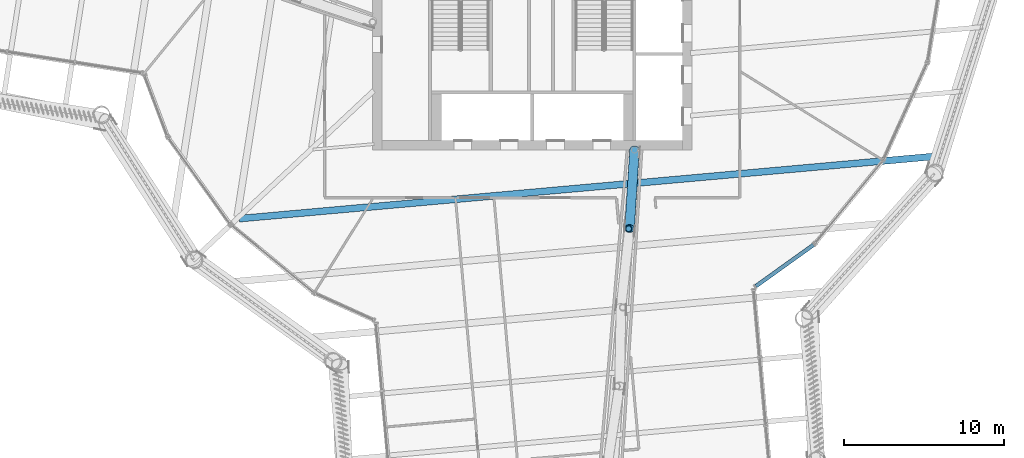
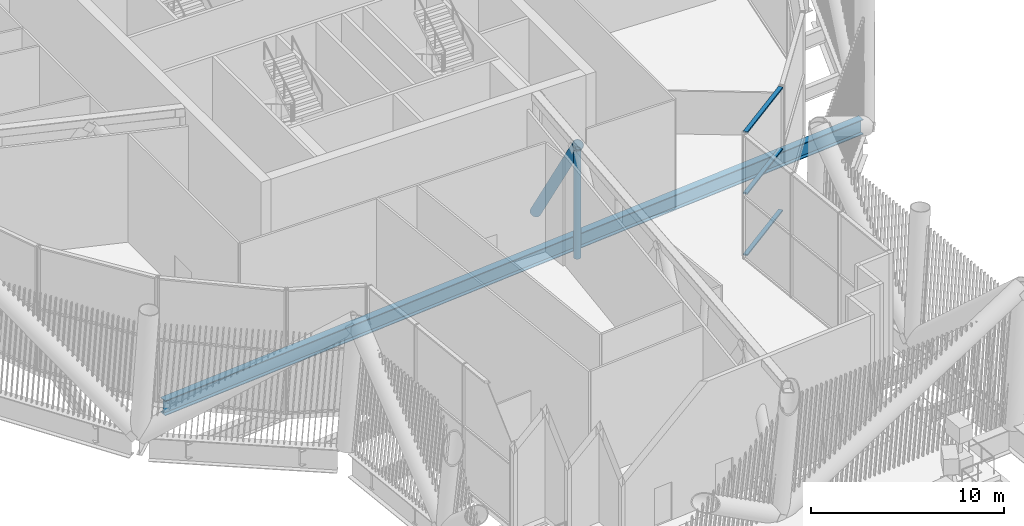
# One storey, part 15 of 55: 5 members, 1 beam, 1 element without a shape of its own.
"""IFC4 building model written with IfcOpenShell, lengths in metres."""

from ifc_helpers import new_model, si_unit, direction, frame, origin, origin_2d, place, context, subcontext, project, spatial, hollow_rectangle, hollow_circle, i_section, extrude, material, layer, layer_set, material_profile, profile_set, type_object, element, aggregate, save


model = new_model("IFC4")

# Units and contexts
model_context = context("Model", 3, precision=1e-05, world=origin(), true_north=direction((0.0, 1.0)))
body_context = subcontext(model_context, "Body", "Model", "MODEL_VIEW")
ifc_project = project(units=[si_unit("LENGTHUNIT", "METRE"), si_unit("AREAUNIT", "SQUARE_METRE"), si_unit("VOLUMEUNIT", "CUBIC_METRE"), si_unit("PLANEANGLEUNIT", "RADIAN"), si_unit("MASSUNIT", "GRAM", prefix="KILO")], contexts=[model_context])

# Site, building, storey
site_placement = place(None, origin())
site = spatial("IfcSite", under=ifc_project, at=site_placement, CompositionType="ELEMENT")
building_placement = place(site_placement, origin())
building = spatial("IfcBuilding", under=site, at=building_placement, Name="Tarsis Ring Headquarters", CompositionType="ELEMENT")
storey_placement = place(building_placement, frame((0.0, 0.0, 247.199951171875)))
storey = spatial("IfcBuildingStorey", under=building, at=storey_placement, Name="L58", CompositionType="ELEMENT", Elevation=247.199951171875)

# Curtain wall, members
ifc_material_1 = material(Name="Aluminium curtain wall", Category="aluminium")
ifc_layer = layer(ifc_material_1, 0.300048828125)
ifc_layer_set = layer_set([ifc_layer], Name="Curtain wall upper sky lobby")
curtain_wall_type = type_object("IfcCurtainWallType", Name="Curtain wall upper sky lobby", PredefinedType="NOTDEFINED", material=ifc_layer_set)
curtain_wall_placement = place(storey_placement, origin())
curtain_wall = element("IfcCurtainWall", 1, at=curtain_wall_placement, inside=storey, type_object=curtain_wall_type, Name="Curtain wall L58-17", PredefinedType="NOTDEFINED")
ifc_material_2 = material(Name="Aluminium transom", Category="aluminium")
ifc_material_profile_1 = material_profile(ifc_material_2, hollow_rectangle(XDim=0.239990234375, YDim=0.090087890625, WallThickness=0.0048828125, at=origin_2d()), Name="RHS 240x90x5")
ifc_profile_set_1 = profile_set([ifc_material_profile_1], Name="Aluminium transom")
member_type_1 = type_object("IfcMemberType", Name="Curtain wall transom upper sky lobby RHS 240x90x5", PredefinedType="USERDEFINED", material=ifc_profile_set_1)
member_1_placement = place(storey_placement, frame((13.991455078125, -21.53271484375, 0.045166015625), z_axis=(0.81290003487, 0.582403239438, 0.0), x_axis=(-0.582403239438, 0.81290003487, 0.0)))
member_1 = element("IfcMember", 2, at=member_1_placement, type_object=member_type_1, Name="CW-U transom 1.1", ObjectType="TRANSOM", PredefinedType="USERDEFINED", context=body_context, shape_type="SweptSolid", body=[
    extrude(hollow_rectangle(XDim=0.239990234375, YDim=0.090087890625, WallThickness=0.0048828125, at=origin_2d()), origin(), (0.0, 0.0, 1.0), 4.43798828125),
])
member_2_placement = place(storey_placement, frame((13.991455078125, -21.53271484375, 3.920166015625), z_axis=(0.81290003487, 0.582403239438, 0.0), x_axis=(-0.582403239438, 0.81290003487, 0.0)))
member_2 = element("IfcMember", 3, at=member_2_placement, type_object=member_type_1, Name="CW-U transom 1.2", ObjectType="TRANSOM", PredefinedType="USERDEFINED", context=body_context, shape_type="SweptSolid", body=[
    extrude(hollow_rectangle(XDim=0.239990234375, YDim=0.090087890625, WallThickness=0.0048828125, at=origin_2d()), origin(), (0.0, 0.0, 1.0), 4.43798828125),
])
member_3_placement = place(storey_placement, frame((13.991455078125, -21.53271484375, 7.795166015625), z_axis=(0.81290003487, 0.582403239438, 0.0), x_axis=(-0.582403239438, 0.81290003487, 0.0)))
member_3 = element("IfcMember", 4, at=member_3_placement, type_object=member_type_1, Name="CW-U transom 1.3", ObjectType="TRANSOM", PredefinedType="USERDEFINED", context=body_context, shape_type="SweptSolid", body=[
    extrude(hollow_rectangle(XDim=0.239990234375, YDim=0.090087890625, WallThickness=0.0048828125, at=origin_2d()), origin(), (0.0, 0.0, 1.0), 4.43798828125),
])
aggregate(curtain_wall, [member_1, member_2, member_3])

# Beam
ifc_material_3 = material(Name="Structural steel S355", Category="steel")
ifc_material_profile_2 = material_profile(ifc_material_3, i_section(OverallWidth=0.42431640625, OverallDepth=0.947509765625, WebThickness=0.02392578125, FlangeThickness=0.042724609375, at=origin_2d()), Name="W36x302")
ifc_profile_set_2 = profile_set([ifc_material_profile_2], Name="Structural steel S355")
beam_type = type_object("IfcBeamType", Name="FB Floor beam W36x302", PredefinedType="JOIST", material=ifc_profile_set_2)
beam_placement = place(storey_placement, frame((-18.34423828125, -17.30615234375, -0.773681640625), z_axis=(0.996010062418, 0.089240997096, 0.0), x_axis=(-0.089240997096, 0.996010062418, 0.0)))
element("IfcBeam", 5, at=beam_placement, inside=storey, type_object=beam_type, Name="Floor beam FB12", PredefinedType="JOIST", context=body_context, shape_type="SweptSolid", body=[
    extrude(i_section(OverallWidth=0.42431640625, OverallDepth=0.947509765625, WebThickness=0.02392578125, FlangeThickness=0.042724609375, at=origin_2d()), origin(), (0.0, 0.0, 1.0), 44.138427734375),
])

# Members
ifc_material_profile_3 = material_profile(ifc_material_3, hollow_circle(Radius=0.3046875, WallThickness=0.02490234375, at=origin_2d()), Name="CHS 610x25")
ifc_profile_set_3 = profile_set([ifc_material_profile_3], Name="Structural steel S355")
member_type_2 = type_object("IfcMemberType", Name="OD Outrigger diagonal CHS 610x25", PredefinedType="BRACE", material=ifc_profile_set_3)
member_4_placement = place(storey_placement, frame((6.39990234375, -13.0, 0.254150390625), z_axis=(-0.03535518044, -0.557396516623, 0.829493299836), x_axis=(0.997994421931, -0.063301925673, 0.0)))
element("IfcMember", 6, at=member_4_placement, inside=storey, type_object=member_type_2, Name="Outrigger diagonal OD1", PredefinedType="BRACE", context=body_context, shape_type="SweptSolid", body=[
    extrude(hollow_circle(Radius=0.3046875, WallThickness=0.02490234375, at=origin_2d()), origin(), (0.0, 0.0, 1.0), 8.8388671875),
])
ifc_material_profile_4 = material_profile(ifc_material_3, hollow_circle(Radius=0.203125, WallThickness=0.01611328125, at=origin_2d()), Name="CHS 406x16")
ifc_profile_set_4 = profile_set([ifc_material_profile_4], Name="Structural steel S355")
member_type_3 = type_object("IfcMemberType", Name="OV Outrigger post CHS 406x16", PredefinedType="STRUT", material=ifc_profile_set_4)
member_5_placement = place(storey_placement, frame((6.030517578125, -17.93212890625, 0.508056640625), z_axis=(0.0, 0.0, 1.0), x_axis=(1.0, 0.0, 0.0)))
element("IfcMember", 7, at=member_5_placement, inside=storey, type_object=member_type_3, Name="Outrigger post OV1", PredefinedType="STRUT", context=body_context, shape_type="SweptSolid", body=[
    extrude(hollow_circle(Radius=0.203125, WallThickness=0.01611328125, at=origin_2d()), origin(), (0.0, 0.0, 1.0), 6.823974609375),
])

save(model, "model.ifc")
